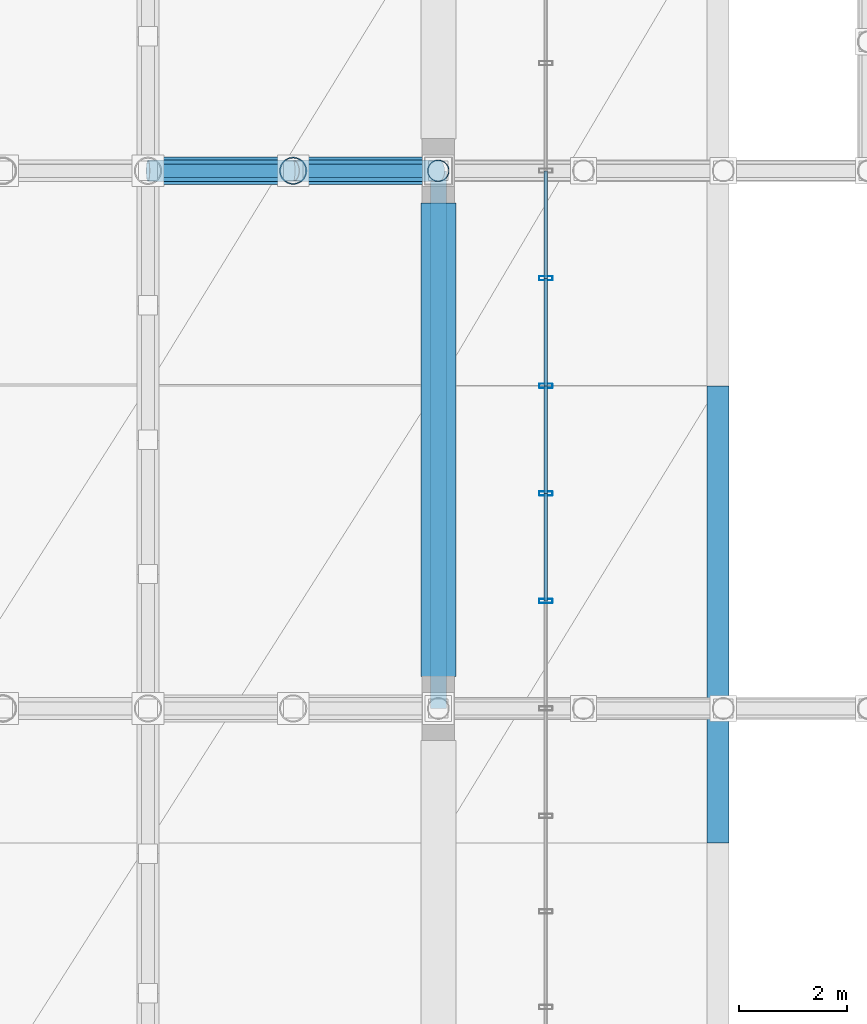
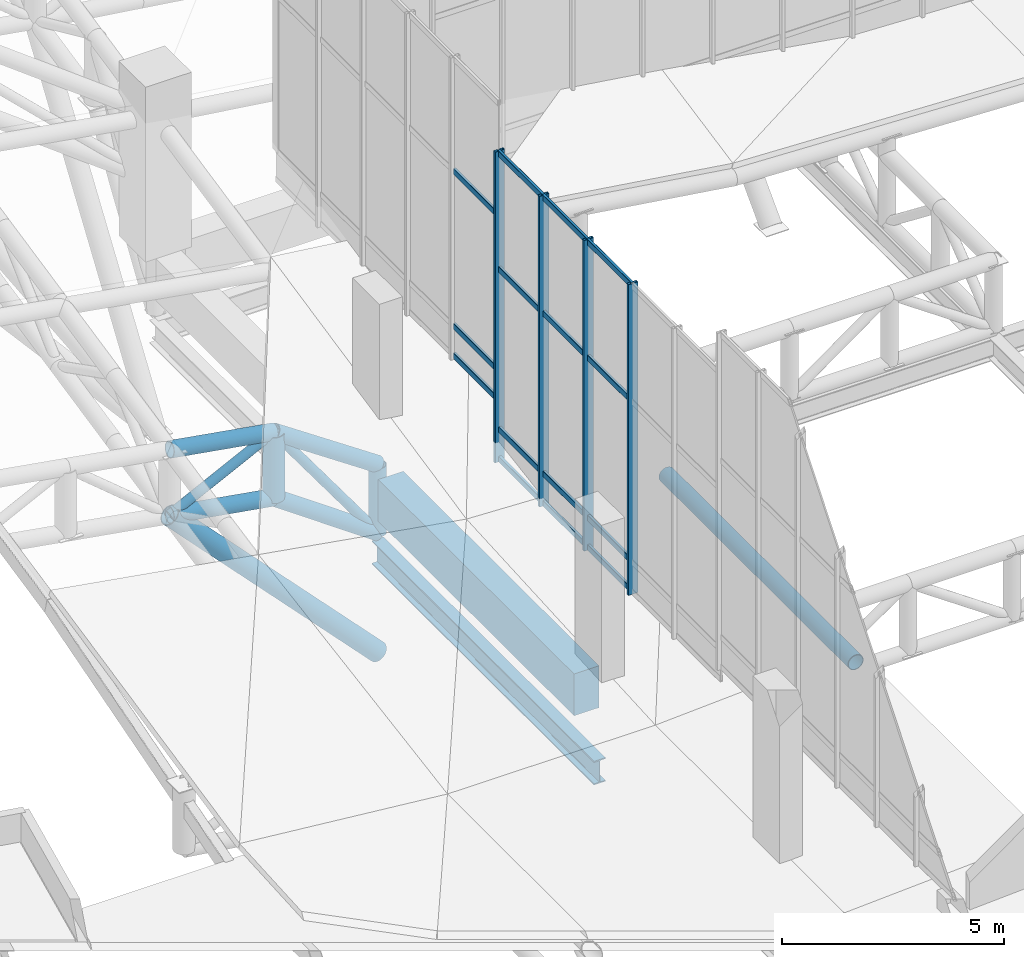
# One storey, part 38 of 137: 29 members, 2 beams, 2 elements without a shape of their own.
"""IFC4 building model written with IfcOpenShell, lengths in metres."""

import ifcopenshell
import ifcopenshell.guid

model = None  # the IFC model being written
_history = None  # IfcOwnerHistory: only IFC2X3 demands one
_inside = {}  # id of a spatial element -> (the spatial element, [elements in it])
_under = {}  # id of a project, library or spatial element -> (it, [spatial elements below it])
_declared = {}  # id of a project -> (the project, [libraries it declares])
_typed = {}  # id of a type object -> (the type object, [elements of that type])
_made_of = {}  # id of a material, layer set ... -> (it, [elements and type objects made of it])


def new_model(schema):
    """Start an empty IFC model of exactly this schema.

    Asked for "IFC4X3", IfcOpenShell would pick the latest addendum, in which some entities
    have other attributes; the version numbers below select the first issue.
    IFC2X3 requires an IfcOwnerHistory on every rooted entity: one is made here for all.
    """
    global model, _history
    if schema == "IFC4X3":
        model = ifcopenshell.file(schema_version=(4, 3, 0, 0))
    else:
        model = ifcopenshell.file(schema=schema)
    _inside.clear()
    _under.clear()
    _declared.clear()
    _typed.clear()
    _made_of.clear()
    _history = None
    if model.schema == "IFC2X3":
        org = make("IfcOrganization", Name="unknown")
        user = make(
            "IfcPersonAndOrganization",
            ThePerson=make("IfcPerson", FamilyName="unknown"),
            TheOrganization=org,
        )
        app = make(
            "IfcApplication",
            ApplicationDeveloper=org,
            Version="unknown",
            ApplicationFullName="unknown",
            ApplicationIdentifier="unknown",
        )
        _history = make(
            "IfcOwnerHistory",
            OwningUser=user,
            OwningApplication=app,
            ChangeAction="ADDED",
            CreationDate=0,
        )
    return model


def make(cls, **values):
    """One entity of the class cls with the attributes given. An attribute that is None is left unset."""
    return model.create_entity(
        cls, **{name: value for name, value in values.items() if value is not None}
    )


def rooted(cls, **values):
    """An entity with a GlobalId (a new one), such as an element, a storey or a relation."""
    return make(cls, GlobalId=ifcopenshell.guid.new(), OwnerHistory=_history, **values)


def si_unit(unit_type, name, prefix=None):
    """IfcSIUnit, for example si_unit("LENGTHUNIT", "METRE", prefix="MILLI")."""
    return make("IfcSIUnit", UnitType=unit_type, Prefix=prefix, Name=name)


def assignment(units):
    """IfcUnitAssignment: the units of a project."""
    return None if units is None else make("IfcUnitAssignment", Units=units)


def point(xyz):
    """IfcCartesianPoint."""
    return None if xyz is None else make("IfcCartesianPoint", Coordinates=xyz)


def direction(xyz):
    """IfcDirection."""
    return None if xyz is None else make("IfcDirection", DirectionRatios=xyz)


def frame(location, z_axis=None, x_axis=None):
    """IfcAxis2Placement3D, a coordinate frame: its origin and axes. An axis left out is left unset."""
    return make(
        "IfcAxis2Placement3D",
        Location=point(location),
        Axis=direction(z_axis),
        RefDirection=direction(x_axis),
    )


def frame_2d(location, x_axis=None):
    """IfcAxis2Placement2D, a coordinate frame in the plane: its origin and x axis."""
    return make(
        "IfcAxis2Placement2D", Location=point(location), RefDirection=direction(x_axis)
    )


def origin():
    """The frame at (0, 0, 0) with its axes left unset."""
    return frame((0.0, 0.0, 0.0))


def origin_2d():
    """The frame at (0, 0) in the plane with its x axis left unset."""
    return frame_2d((0.0, 0.0))


def place(relative_to, where):
    """IfcLocalPlacement: puts the frame where relative to a parent placement (None: the world)."""
    return make(
        "IfcLocalPlacement", PlacementRelTo=relative_to, RelativePlacement=where
    )


def context(
    kind, dimensions, precision=None, world=None, true_north=None, identifier=None
):
    """IfcGeometricRepresentationContext, for example the 3D "Model" context."""
    return make(
        "IfcGeometricRepresentationContext",
        ContextIdentifier=identifier,
        ContextType=kind,
        CoordinateSpaceDimension=dimensions,
        Precision=precision,
        WorldCoordinateSystem=world,
        TrueNorth=true_north,
    )


def subcontext(parent, identifier, kind, view, scale=None):
    """IfcGeometricRepresentationSubContext, for example "Body" below "Model"."""
    return make(
        "IfcGeometricRepresentationSubContext",
        ContextIdentifier=identifier,
        ContextType=kind,
        ParentContext=parent,
        TargetScale=scale,
        TargetView=view,
    )


def project(units=None, contexts=None):
    """IfcProject with its units and contexts."""
    return rooted(
        "IfcProject",
        Name="project",
        RepresentationContexts=contexts,
        UnitsInContext=assignment(units),
    )


def spatial(cls, under=None, at=None, **own):
    """A site, building, storey or space (cls), placed at a placement, below another one or the project."""
    s = rooted(cls, ObjectPlacement=at, **own)
    if under is not None:
        _under.setdefault(under.id(), (under, []))[1].append(s)
    return s


def profile(cls, at=None, kind="AREA", **sizes):
    """A parametric profile (cls). Its sizes go by their IFC names, for example OverallWidth=200.0."""
    return make(cls, ProfileType=kind, Position=at, **sizes)


def rectangle(**sizes):
    """IfcRectangleProfileDef."""
    return profile("IfcRectangleProfileDef", **sizes)


def hollow_rectangle(**sizes):
    """IfcRectangleHollowProfileDef."""
    return profile("IfcRectangleHollowProfileDef", **sizes)


def hollow_circle(**sizes):
    """IfcCircleHollowProfileDef."""
    return profile("IfcCircleHollowProfileDef", **sizes)


def i_section(**sizes):
    """IfcIShapeProfileDef."""
    return profile("IfcIShapeProfileDef", **sizes)


def extrude(swept, where, along, depth):
    """IfcExtrudedAreaSolid: the profile swept, set in the frame where, extruded along a direction by depth."""
    return make(
        "IfcExtrudedAreaSolid",
        SweptArea=swept,
        Position=where,
        ExtrudedDirection=direction(along),
        Depth=depth,
    )


def shape(context_of_items, identifier, shape_type, items):
    """IfcShapeRepresentation: the items that make up one representation, for example the "Body"."""
    return make(
        "IfcShapeRepresentation",
        ContextOfItems=context_of_items,
        RepresentationIdentifier=identifier,
        RepresentationType=shape_type,
        Items=items,
    )


def material(Name=None, Category=None):
    """IfcMaterial."""
    return make("IfcMaterial", Name=Name, Category=Category)


def layer(
    of_material, thickness, ventilated=None, Name=None, Category=None, Priority=None
):
    """IfcMaterialLayer: one layer of a wall or slab, of a material (None: an air gap)."""
    return make(
        "IfcMaterialLayer",
        Material=of_material,
        LayerThickness=thickness,
        IsVentilated=ventilated,
        Name=Name,
        Category=Category,
        Priority=Priority,
    )


def layer_set(layers, Name=None):
    """IfcMaterialLayerSet."""
    return make("IfcMaterialLayerSet", MaterialLayers=layers, LayerSetName=Name)


def material_profile(
    of_material, cross_section, Name=None, Category=None, Priority=None
):
    """IfcMaterialProfile: a cross section and its material."""
    return make(
        "IfcMaterialProfile",
        Name=Name,
        Material=of_material,
        Profile=cross_section,
        Priority=Priority,
        Category=Category,
    )


def profile_set(profiles, Name=None, composite=None):
    """IfcMaterialProfileSet."""
    return make(
        "IfcMaterialProfileSet",
        Name=Name,
        MaterialProfiles=profiles,
        CompositeProfile=composite,
    )


def made_of(thing, what):
    """Note that an element or type object is made of a material, layer set ...; save() writes the relation."""
    if what is not None:
        _made_of.setdefault(what.id(), (what, []))[1].append(thing)
    return thing


def type_object(cls, material=None, **own):
    """A type object (cls), such as IfcWallType, which elements share."""
    return made_of(rooted(cls, **own), material)


def element(
    cls,
    number,
    at=None,
    inside=None,
    cuts=None,
    type_object=None,
    material=None,
    context=None,
    identifier="Body",
    shape_type=None,
    held_by="IfcProductDefinitionShape",
    body=None,
    shapes=None,
    **own,
):
    """One element of the class cls, such as IfcWall. Its Tag is "e" and its number.

    at: its placement. inside: the storey or other place that contains it. cuts: it is an
    opening in that element (IfcRelVoidsElement). A single representation is given by context,
    identifier, shape_type and body (its items); several are given by shapes. held_by: the class
    of the entity that holds the representations. save() writes the other relations.
    """
    e = rooted(cls, Tag="e%d" % number, ObjectPlacement=at, **own)
    if body is not None:
        shapes = [shape(context, identifier, shape_type, body)]
    if shapes is not None:
        e.Representation = make(held_by, Representations=shapes)
    if inside is not None:
        _inside.setdefault(inside.id(), (inside, []))[1].append(e)
    if cuts is not None:
        rooted(
            "IfcRelVoidsElement", RelatingBuildingElement=cuts, RelatedOpeningElement=e
        )
    if type_object is not None:
        _typed.setdefault(type_object.id(), (type_object, []))[1].append(e)
    return made_of(e, material)


def aggregate(whole, parts):
    """IfcRelAggregates: a whole, such as a stair, and the parts it consists of."""
    return rooted("IfcRelAggregates", RelatingObject=whole, RelatedObjects=parts)


def save(model, path):
    """Write the relations noted so far, then the file.

    IfcRelAggregates (storeys below a building ...), IfcRelContainedInSpatialStructure (elements
    in a storey), IfcRelDefinesByType, IfcRelAssociatesMaterial and IfcRelDeclares: one each for
    every whole, place, type object, material and project.
    """
    for whole, parts in _under.values():
        aggregate(whole, parts)
    for where, things in _inside.values():
        rooted(
            "IfcRelContainedInSpatialStructure",
            RelatedElements=things,
            RelatingStructure=where,
        )
    for kind, things in _typed.values():
        rooted("IfcRelDefinesByType", RelatedObjects=things, RelatingType=kind)
    for what, things in _made_of.values():
        rooted("IfcRelAssociatesMaterial", RelatedObjects=things, RelatingMaterial=what)
    for by, libraries in _declared.values():
        rooted("IfcRelDeclares", RelatingContext=by, RelatedDefinitions=libraries)
    model.write(path)


model = new_model("IFC4")

# Units and contexts
model_context = context("Model", 3, precision=1e-05, world=origin(), true_north=direction((0.0, 1.0)))
body_context = subcontext(model_context, "Body", "Model", "MODEL_VIEW")
ifc_project = project(units=[si_unit("LENGTHUNIT", "METRE"), si_unit("AREAUNIT", "SQUARE_METRE"), si_unit("VOLUMEUNIT", "CUBIC_METRE"), si_unit("PLANEANGLEUNIT", "RADIAN"), si_unit("MASSUNIT", "GRAM", prefix="KILO")], contexts=[model_context])

# Site, building, storey
site_placement = place(None, origin())
site = spatial("IfcSite", under=ifc_project, at=site_placement, CompositionType="ELEMENT")
building_placement = place(site_placement, origin())
building = spatial("IfcBuilding", under=site, at=building_placement, Name="Khorjan Park Terminus", CompositionType="ELEMENT")
storey_placement = place(building_placement, frame((0.0, 0.0, 11.4)))
storey = spatial("IfcBuildingStorey", under=building, at=storey_placement, Name="L02", CompositionType="ELEMENT", Elevation=11.4)

# Members
ifc_material_1 = material(Name="Steel S355", Category="steel")
ifc_material_profile_1 = material_profile(ifc_material_1, hollow_circle(Radius=0.1222, WallThickness=0.0125, at=origin_2d()), Name="CHS 244.5x12.5")
ifc_profile_set_1 = profile_set([ifc_material_profile_1], Name="Steel S355")
member_type_1 = type_object("IfcMemberType", Name="MB-BRE-245", PredefinedType="BRACE", material=ifc_profile_set_1)
member_1_placement = place(storey_placement, frame((42.6, 78.0, 0.4403), z_axis=(0.895499207917, 0.0, 0.445063106335), x_axis=(0.0, 1.0, 0.0)))
element("IfcMember", 1, at=member_1_placement, inside=storey, type_object=member_type_1, Name="Lower shell W/E truss diagonal (W4)", PredefinedType="BRACE", context=body_context, shape_type="SweptSolid", body=[
    extrude(hollow_circle(Radius=0.1222, WallThickness=0.0125, at=origin_2d()), origin(), (0.0, 0.0, 1.0), 3.0151),
])
member_2_placement = place(storey_placement, frame((45.3, 78.0, 1.7822), z_axis=(0.589240427906, 0.0, -0.807957745257), x_axis=(0.0, 1.0, 0.0)))
element("IfcMember", 2, at=member_2_placement, inside=storey, type_object=member_type_1, Name="Lower shell W/E truss diagonal (W4)", PredefinedType="BRACE", context=body_context, shape_type="SweptSolid", body=[
    extrude(hollow_circle(Radius=0.1222, WallThickness=0.0125, at=origin_2d()), origin(), (0.0, 0.0, 1.0), 4.5822),
])
ifc_material_profile_2 = material_profile(ifc_material_1, hollow_circle(Radius=0.2032, WallThickness=0.016, at=origin_2d()), Name="CHS 406.4x16")
ifc_profile_set_2 = profile_set([ifc_material_profile_2], Name="Steel S355")
member_type_2 = type_object("IfcMemberType", Name="MB-CH-406", PredefinedType="CHORD", material=ifc_profile_set_2)
member_3_placement = place(storey_placement, frame((53.2, 65.5, 0.266), z_axis=(0.0, 1.0, 0.0), x_axis=(-1.0, 0.0, 0.0)))
element("IfcMember", 3, at=member_3_placement, inside=storey, type_object=member_type_2, Name="Lower wrapping shell rim chord (133)", PredefinedType="CHORD", context=body_context, shape_type="SweptSolid", body=[
    extrude(hollow_circle(Radius=0.2032, WallThickness=0.016, at=origin_2d()), origin(), (0.0, 0.0, 1.0), 8.5),
])
ifc_material_profile_3 = material_profile(ifc_material_1, hollow_circle(Radius=0.2032, WallThickness=0.016, at=origin_2d()), Name="CHS 406.4x16")
ifc_profile_set_3 = profile_set([ifc_material_profile_3], Name="Steel S355")
member_type_3 = type_object("IfcMemberType", Name="MB-CHE-406", PredefinedType="CHORD", material=ifc_profile_set_3)
for number, where, z_axis, x_axis, name in (
    (4, (42.6, 78.0, 2.2403), (0.985910093926, 0.0, -0.167276079269), (0.0, 1.0, 0.0), "Lower shell W/E truss top chord (W4)"),
    (5, (42.6, 78.0, 0.4403), (0.985910093926, 0.0, -0.167276079269), (0.0, 1.0, 0.0), "Lower shell W/E truss bottom chord (W4)"),
):
    element("IfcMember", number, at=place(storey_placement, frame(where, z_axis=z_axis, x_axis=x_axis)), inside=storey, type_object=member_type_3, Name=name, PredefinedType="CHORD", context=body_context, shape_type="SweptSolid", body=[
        extrude(hollow_circle(Radius=0.2032, WallThickness=0.016, at=origin_2d()), origin(), (0.0, 0.0, 1.0), 2.7386),
    ])
member_4_placement = place(storey_placement, frame((45.3, 78.0, 1.7822), z_axis=(0.827467637473, 0.0, -0.561513409399), x_axis=(0.0, 1.0, 0.0)))
element("IfcMember", 6, at=member_4_placement, inside=storey, type_object=member_type_3, Name="Lower shell W/E truss top chord (W4)", PredefinedType="CHORD", context=body_context, shape_type="SweptSolid", body=[
    extrude(hollow_circle(Radius=0.2032, WallThickness=0.016, at=origin_2d()), origin(), (0.0, 0.0, 1.0), 3.263),
])
member_5_placement = place(storey_placement, frame((45.3, 78.0, -0.0178), z_axis=(0.817492800721, 0.0, -0.575938816863), x_axis=(0.0, 1.0, 0.0)))
element("IfcMember", 7, at=member_5_placement, inside=storey, type_object=member_type_3, Name="Lower shell W/E truss bottom chord (W4)", PredefinedType="CHORD", context=body_context, shape_type="SweptSolid", body=[
    extrude(hollow_circle(Radius=0.2032, WallThickness=0.016, at=origin_2d()), origin(), (0.0, 0.0, 1.0), 3.3028),
])
ifc_material_profile_4 = material_profile(ifc_material_1, hollow_circle(Radius=0.2032, WallThickness=0.016, at=origin_2d()), Name="CHS 406.4x16")
ifc_profile_set_4 = profile_set([ifc_material_profile_4], Name="Steel S355")
member_type_4 = type_object("IfcMemberType", Name="MB-ST-406", PredefinedType="STRUT", material=ifc_profile_set_4)
member_6_placement = place(storey_placement, frame((48.0, 78.0, -1.92), z_axis=(0.0, 0.0, 1.0), x_axis=(1.0, 0.0, 0.0)))
element("IfcMember", 8, at=member_6_placement, inside=storey, type_object=member_type_4, Name="Lower shell W/E truss post (W4)", PredefinedType="STRUT", context=body_context, shape_type="SweptSolid", body=[
    extrude(hollow_circle(Radius=0.2032, WallThickness=0.016, at=origin_2d()), origin(), (0.0, 0.0, 1.0), 1.87),
])
ifc_material_profile_5 = material_profile(ifc_material_1, hollow_circle(Radius=0.254, WallThickness=0.02, at=origin_2d()), Name="CHS 508x20")
ifc_profile_set_5 = profile_set([ifc_material_profile_5], Name="Steel S355")
member_type_5 = type_object("IfcMemberType", Name="MB-STE-508", PredefinedType="STRUT", material=ifc_profile_set_5)
member_7_placement = place(storey_placement, frame((45.3, 78.0, -0.0178), z_axis=(0.0, 0.0, 1.0), x_axis=(1.0, 0.0, 0.0)))
element("IfcMember", 9, at=member_7_placement, inside=storey, type_object=member_type_5, Name="Lower shell W/E truss post (W4)", PredefinedType="STRUT", context=body_context, shape_type="SweptSolid", body=[
    extrude(hollow_circle(Radius=0.254, WallThickness=0.02, at=origin_2d()), origin(), (0.0, 0.0, 1.0), 1.8),
])
member_8_placement = place(storey_placement, frame((48.0, 78.0, -5.2), z_axis=(-0.691552307244, 0.0, 0.722326384916), x_axis=(0.0, -1.0, 0.0)))
element("IfcMember", 10, at=member_8_placement, inside=storey, type_object=member_type_5, Name="Lower shell W/E raked V-strut STE-51 (W4)", PredefinedType="STRUT", context=body_context, shape_type="SweptSolid", body=[
    extrude(hollow_circle(Radius=0.254, WallThickness=0.02, at=origin_2d()), origin(), (0.0, 0.0, 1.0), 7.8085),
])

# Curtain wall, members
ifc_material_2 = material(Name="Anodized Bronze Aluminium", Category="aluminium")
ifc_layer = layer(ifc_material_2, 0.22)
ifc_layer_set = layer_set([ifc_layer], Name="Anodized Bronze Aluminium")
curtain_wall_type = type_object("IfcCurtainWallType", Name="CW-CONC-CLR", PredefinedType="NOTDEFINED", material=ifc_layer_set)
curtain_wall_1_placement = place(storey_placement, origin())
curtain_wall_1 = element("IfcCurtainWall", 11, at=curtain_wall_1_placement, inside=storey, type_object=curtain_wall_type, Name="Unitized curtain wall CW-CL (CW-V2-W-CLR-04)", PredefinedType="NOTDEFINED")
ifc_material_profile_6 = material_profile(ifc_material_2, hollow_rectangle(XDim=0.08, YDim=0.25, WallThickness=0.005, InnerFilletRadius=0.005, OuterFilletRadius=0.01, at=origin_2d()), Name="ALM 80x250x5")
ifc_profile_set_6 = profile_set([ifc_material_profile_6], Name="Anodized Bronze Aluminium")
member_type_6 = type_object("IfcMemberType", Name="ML-ALM-250", PredefinedType="MULLION", material=ifc_profile_set_6)
member_9_placement = place(storey_placement, frame((50.0, 76.0, 0.555), z_axis=(0.0, 0.0, 1.0), x_axis=(0.0, -1.0, 0.0)))
member_9 = element("IfcMember", 12, at=member_9_placement, type_object=member_type_6, Name="Curtain-wall mullion ML-25 (CW-V2-W-CLR-04-0)", PredefinedType="MULLION", context=body_context, shape_type="SweptSolid", body=[
    extrude(hollow_rectangle(XDim=0.08, YDim=0.25, WallThickness=0.005, InnerFilletRadius=0.005, OuterFilletRadius=0.01, at=origin_2d()), origin(), (0.0, 0.0, 1.0), 8.5323),
])
member_10_placement = place(storey_placement, frame((50.0, 74.0, 0.555), z_axis=(0.0, 0.0, 1.0), x_axis=(0.0, -1.0, 0.0)))
member_10 = element("IfcMember", 13, at=member_10_placement, type_object=member_type_6, Name="Curtain-wall mullion ML-25 (CW-V2-W-CLR-04-1)", PredefinedType="MULLION", context=body_context, shape_type="SweptSolid", body=[
    extrude(hollow_rectangle(XDim=0.08, YDim=0.25, WallThickness=0.005, InnerFilletRadius=0.005, OuterFilletRadius=0.01, at=origin_2d()), origin(), (0.0, 0.0, 1.0), 8.5323),
])
member_11_placement = place(storey_placement, frame((50.0, 72.0, 0.555), z_axis=(0.0, 0.0, 1.0), x_axis=(0.0, -1.0, 0.0)))
member_11 = element("IfcMember", 14, at=member_11_placement, type_object=member_type_6, Name="Curtain-wall mullion ML-25 (CW-V2-W-CLR-04-2)", PredefinedType="MULLION", context=body_context, shape_type="SweptSolid", body=[
    extrude(hollow_rectangle(XDim=0.08, YDim=0.25, WallThickness=0.005, InnerFilletRadius=0.005, OuterFilletRadius=0.01, at=origin_2d()), origin(), (0.0, 0.0, 1.0), 8.5323),
])
member_12_placement = place(storey_placement, frame((50.0, 70.0, 0.555), z_axis=(0.0, 0.0, 1.0), x_axis=(0.0, -1.0, 0.0)))
member_12 = element("IfcMember", 15, at=member_12_placement, type_object=member_type_6, Name="Curtain-wall mullion ML-25 (CW-V2-W-CLR-04-3)", PredefinedType="MULLION", context=body_context, shape_type="SweptSolid", body=[
    extrude(hollow_rectangle(XDim=0.08, YDim=0.25, WallThickness=0.005, InnerFilletRadius=0.005, OuterFilletRadius=0.01, at=origin_2d()), origin(), (0.0, 0.0, 1.0), 8.5323),
])

# Beams
ifc_material_profile_7 = material_profile(ifc_material_1, i_section(OverallWidth=0.3, OverallDepth=0.65, WebThickness=0.016, FlangeThickness=0.031, FilletRadius=0.027, at=origin_2d()), Name="HEB 650")
ifc_profile_set_7 = profile_set([ifc_material_profile_7], Name="Steel S355")
beam_type_1 = type_object("IfcBeamType", Name="SP-HEB650E", PredefinedType="SPANDREL", material=ifc_profile_set_7)
beam_1_placement = place(storey_placement, frame((48.0, 68.0, -2.425), z_axis=(0.0, 1.0, 0.0), x_axis=(-1.0, 0.0, 0.0)))
element("IfcBeam", 16, at=beam_1_placement, inside=storey, type_object=beam_type_1, Name="Lower shell truss support girder SP-E65 (Y37)", PredefinedType="SPANDREL", context=body_context, shape_type="SweptSolid", body=[
    extrude(i_section(OverallWidth=0.3, OverallDepth=0.65, WebThickness=0.016, FlangeThickness=0.031, FilletRadius=0.027, at=origin_2d()), origin(), (0.0, 0.0, 1.0), 10.0),
])
ifc_material_3 = material(Name="Concrete C50/60", Category="concrete")
ifc_material_profile_8 = material_profile(ifc_material_3, rectangle(XDim=0.65, YDim=1.15, at=origin_2d()), Name="RC 650x1150")
ifc_profile_set_8 = profile_set([ifc_material_profile_8], Name="Concrete C50/60")
beam_type_2 = type_object("IfcBeamType", Name="SP-RC650x1150", PredefinedType="SPANDREL", material=ifc_profile_set_8)
beam_2_placement = place(storey_placement, frame((48.0, 68.595, -0.575), z_axis=(0.0, 1.0, 0.0), x_axis=(-1.0, 0.0, 0.0)))
element("IfcBeam", 17, at=beam_2_placement, inside=storey, type_object=beam_type_2, Name="Concourse lower colonnade ring beam SP-11 (L02-69)", PredefinedType="SPANDREL", context=body_context, shape_type="SweptSolid", body=[
    extrude(rectangle(XDim=0.65, YDim=1.15, at=origin_2d()), origin(), (0.0, 0.0, 1.0), 8.81),
])

# Member
ifc_material_profile_9 = material_profile(ifc_material_2, hollow_rectangle(XDim=0.07, YDim=0.16, WallThickness=0.004, InnerFilletRadius=0.004, OuterFilletRadius=0.008, at=origin_2d()), Name="ALT 70x160x4")
ifc_profile_set_9 = profile_set([ifc_material_profile_9], Name="Anodized Bronze Aluminium")
member_type_7 = type_object("IfcMemberType", Name="TR-ALT-160", PredefinedType="USERDEFINED", material=ifc_profile_set_9)
member_13_placement = place(storey_placement, frame((50.0, 76.0, 0.63), z_axis=(0.0, -1.0, 0.0), x_axis=(1.0, 0.0, 0.0)))
member_13 = element("IfcMember", 18, at=member_13_placement, type_object=member_type_7, Name="Curtain-wall transom TR-16 (CW-V2-W-CLR-04-0-1)", ObjectType="TRANSOM", PredefinedType="USERDEFINED", context=body_context, shape_type="SweptSolid", body=[
    extrude(hollow_rectangle(XDim=0.07, YDim=0.16, WallThickness=0.004, InnerFilletRadius=0.004, OuterFilletRadius=0.008, at=origin_2d()), origin(), (0.0, 0.0, 1.0), 2.0),
])

member_14_placement = place(storey_placement, frame((50.0, 76.0, 1.44), z_axis=(0.0, -1.0, 0.0), x_axis=(1.0, 0.0, 0.0)))
member_14 = element("IfcMember", 19, at=member_14_placement, type_object=member_type_7, Name="Curtain-wall transom TR-16 (CW-V2-W-CLR-04-0-2)", ObjectType="TRANSOM", PredefinedType="USERDEFINED", context=body_context, shape_type="SweptSolid", body=[
    extrude(hollow_rectangle(XDim=0.07, YDim=0.16, WallThickness=0.004, InnerFilletRadius=0.004, OuterFilletRadius=0.008, at=origin_2d()), origin(), (0.0, 0.0, 1.0), 2.0),
])

member_15_placement = place(storey_placement, frame((50.0, 76.0, 5.8366), z_axis=(0.0, -1.0, 0.0), x_axis=(1.0, 0.0, 0.0)))
member_15 = element("IfcMember", 20, at=member_15_placement, type_object=member_type_7, Name="Curtain-wall transom TR-16 (CW-V2-W-CLR-04-0-3)", ObjectType="TRANSOM", PredefinedType="USERDEFINED", context=body_context, shape_type="SweptSolid", body=[
    extrude(hollow_rectangle(XDim=0.07, YDim=0.16, WallThickness=0.004, InnerFilletRadius=0.004, OuterFilletRadius=0.008, at=origin_2d()), origin(), (0.0, 0.0, 1.0), 2.0),
])

member_16_placement = place(storey_placement, frame((50.0, 76.0, 9.0123), z_axis=(0.0, -1.0, 0.0), x_axis=(1.0, 0.0, 0.0)))
member_16 = element("IfcMember", 21, at=member_16_placement, type_object=member_type_7, Name="Curtain-wall transom TR-16 (CW-V2-W-CLR-04-0-4)", ObjectType="TRANSOM", PredefinedType="USERDEFINED", context=body_context, shape_type="SweptSolid", body=[
    extrude(hollow_rectangle(XDim=0.07, YDim=0.16, WallThickness=0.004, InnerFilletRadius=0.004, OuterFilletRadius=0.008, at=origin_2d()), origin(), (0.0, 0.0, 1.0), 2.0),
])

member_17_placement = place(storey_placement, frame((50.0, 74.0, 0.63), z_axis=(0.0, -1.0, 0.0), x_axis=(1.0, 0.0, 0.0)))
member_17 = element("IfcMember", 22, at=member_17_placement, type_object=member_type_7, Name="Curtain-wall transom TR-16 (CW-V2-W-CLR-04-1-1)", ObjectType="TRANSOM", PredefinedType="USERDEFINED", context=body_context, shape_type="SweptSolid", body=[
    extrude(hollow_rectangle(XDim=0.07, YDim=0.16, WallThickness=0.004, InnerFilletRadius=0.004, OuterFilletRadius=0.008, at=origin_2d()), origin(), (0.0, 0.0, 1.0), 2.0),
])

member_18_placement = place(storey_placement, frame((50.0, 74.0, 1.44), z_axis=(0.0, -1.0, 0.0), x_axis=(1.0, 0.0, 0.0)))
member_18 = element("IfcMember", 23, at=member_18_placement, type_object=member_type_7, Name="Curtain-wall transom TR-16 (CW-V2-W-CLR-04-1-2)", ObjectType="TRANSOM", PredefinedType="USERDEFINED", context=body_context, shape_type="SweptSolid", body=[
    extrude(hollow_rectangle(XDim=0.07, YDim=0.16, WallThickness=0.004, InnerFilletRadius=0.004, OuterFilletRadius=0.008, at=origin_2d()), origin(), (0.0, 0.0, 1.0), 2.0),
])

member_19_placement = place(storey_placement, frame((50.0, 74.0, 5.8366), z_axis=(0.0, -1.0, 0.0), x_axis=(1.0, 0.0, 0.0)))
member_19 = element("IfcMember", 24, at=member_19_placement, type_object=member_type_7, Name="Curtain-wall transom TR-16 (CW-V2-W-CLR-04-1-3)", ObjectType="TRANSOM", PredefinedType="USERDEFINED", context=body_context, shape_type="SweptSolid", body=[
    extrude(hollow_rectangle(XDim=0.07, YDim=0.16, WallThickness=0.004, InnerFilletRadius=0.004, OuterFilletRadius=0.008, at=origin_2d()), origin(), (0.0, 0.0, 1.0), 2.0),
])

member_20_placement = place(storey_placement, frame((50.0, 74.0, 9.0123), z_axis=(0.0, -1.0, 0.0), x_axis=(1.0, 0.0, 0.0)))
member_20 = element("IfcMember", 25, at=member_20_placement, type_object=member_type_7, Name="Curtain-wall transom TR-16 (CW-V2-W-CLR-04-1-4)", ObjectType="TRANSOM", PredefinedType="USERDEFINED", context=body_context, shape_type="SweptSolid", body=[
    extrude(hollow_rectangle(XDim=0.07, YDim=0.16, WallThickness=0.004, InnerFilletRadius=0.004, OuterFilletRadius=0.008, at=origin_2d()), origin(), (0.0, 0.0, 1.0), 2.0),
])

member_21_placement = place(storey_placement, frame((50.0, 72.0, 0.63), z_axis=(0.0, -1.0, 0.0), x_axis=(1.0, 0.0, 0.0)))
member_21 = element("IfcMember", 26, at=member_21_placement, type_object=member_type_7, Name="Curtain-wall transom TR-16 (CW-V2-W-CLR-04-2-1)", ObjectType="TRANSOM", PredefinedType="USERDEFINED", context=body_context, shape_type="SweptSolid", body=[
    extrude(hollow_rectangle(XDim=0.07, YDim=0.16, WallThickness=0.004, InnerFilletRadius=0.004, OuterFilletRadius=0.008, at=origin_2d()), origin(), (0.0, 0.0, 1.0), 2.0),
])

member_22_placement = place(storey_placement, frame((50.0, 72.0, 1.44), z_axis=(0.0, -1.0, 0.0), x_axis=(1.0, 0.0, 0.0)))
member_22 = element("IfcMember", 27, at=member_22_placement, type_object=member_type_7, Name="Curtain-wall transom TR-16 (CW-V2-W-CLR-04-2-2)", ObjectType="TRANSOM", PredefinedType="USERDEFINED", context=body_context, shape_type="SweptSolid", body=[
    extrude(hollow_rectangle(XDim=0.07, YDim=0.16, WallThickness=0.004, InnerFilletRadius=0.004, OuterFilletRadius=0.008, at=origin_2d()), origin(), (0.0, 0.0, 1.0), 2.0),
])

member_23_placement = place(storey_placement, frame((50.0, 72.0, 5.8366), z_axis=(0.0, -1.0, 0.0), x_axis=(1.0, 0.0, 0.0)))
member_23 = element("IfcMember", 28, at=member_23_placement, type_object=member_type_7, Name="Curtain-wall transom TR-16 (CW-V2-W-CLR-04-2-3)", ObjectType="TRANSOM", PredefinedType="USERDEFINED", context=body_context, shape_type="SweptSolid", body=[
    extrude(hollow_rectangle(XDim=0.07, YDim=0.16, WallThickness=0.004, InnerFilletRadius=0.004, OuterFilletRadius=0.008, at=origin_2d()), origin(), (0.0, 0.0, 1.0), 2.0),
])

member_24_placement = place(storey_placement, frame((50.0, 72.0, 9.0123), z_axis=(0.0, -1.0, 0.0), x_axis=(1.0, 0.0, 0.0)))
member_24 = element("IfcMember", 29, at=member_24_placement, type_object=member_type_7, Name="Curtain-wall transom TR-16 (CW-V2-W-CLR-04-2-4)", ObjectType="TRANSOM", PredefinedType="USERDEFINED", context=body_context, shape_type="SweptSolid", body=[
    extrude(hollow_rectangle(XDim=0.07, YDim=0.16, WallThickness=0.004, InnerFilletRadius=0.004, OuterFilletRadius=0.008, at=origin_2d()), origin(), (0.0, 0.0, 1.0), 2.0),
])

aggregate(curtain_wall_1, [member_9, member_10, member_11, member_12, member_13, member_14, member_15, member_16, member_17, member_18, member_19, member_20, member_21, member_22, member_23, member_24])

# Curtain wall, members
curtain_wall_2_placement = place(storey_placement, origin())
curtain_wall_2 = element("IfcCurtainWall", 30, at=curtain_wall_2_placement, inside=storey, type_object=curtain_wall_type, Name="Unitized curtain wall CW-CL (CW-V2-W-CLR-05)", PredefinedType="NOTDEFINED")
member_25_placement = place(storey_placement, frame((50.0, 78.0, 2.2342), z_axis=(0.0, -1.0, 0.0), x_axis=(1.0, 0.0, 0.0)))
member_25 = element("IfcMember", 31, at=member_25_placement, type_object=member_type_7, Name="Curtain-wall transom TR-16 (CW-V2-W-CLR-05-4-1)", ObjectType="TRANSOM", PredefinedType="USERDEFINED", context=body_context, shape_type="SweptSolid", body=[
    extrude(hollow_rectangle(XDim=0.07, YDim=0.16, WallThickness=0.004, InnerFilletRadius=0.004, OuterFilletRadius=0.008, at=origin_2d()), origin(), (0.0, 0.0, 1.0), 2.0),
])
member_26_placement = place(storey_placement, frame((50.0, 78.0, 3.0442), z_axis=(0.0, -1.0, 0.0), x_axis=(1.0, 0.0, 0.0)))
member_26 = element("IfcMember", 32, at=member_26_placement, type_object=member_type_7, Name="Curtain-wall transom TR-16 (CW-V2-W-CLR-05-4-2)", ObjectType="TRANSOM", PredefinedType="USERDEFINED", context=body_context, shape_type="SweptSolid", body=[
    extrude(hollow_rectangle(XDim=0.07, YDim=0.16, WallThickness=0.004, InnerFilletRadius=0.004, OuterFilletRadius=0.008, at=origin_2d()), origin(), (0.0, 0.0, 1.0), 2.0),
])
member_27_placement = place(storey_placement, frame((50.0, 78.0, 7.2959), z_axis=(0.0, -1.0, 0.0), x_axis=(1.0, 0.0, 0.0)))
member_27 = element("IfcMember", 33, at=member_27_placement, type_object=member_type_7, Name="Curtain-wall transom TR-16 (CW-V2-W-CLR-05-4-3)", ObjectType="TRANSOM", PredefinedType="USERDEFINED", context=body_context, shape_type="SweptSolid", body=[
    extrude(hollow_rectangle(XDim=0.07, YDim=0.16, WallThickness=0.004, InnerFilletRadius=0.004, OuterFilletRadius=0.008, at=origin_2d()), origin(), (0.0, 0.0, 1.0), 2.0),
])
aggregate(curtain_wall_2, [member_25, member_26, member_27])

save(model, "model.ifc")
